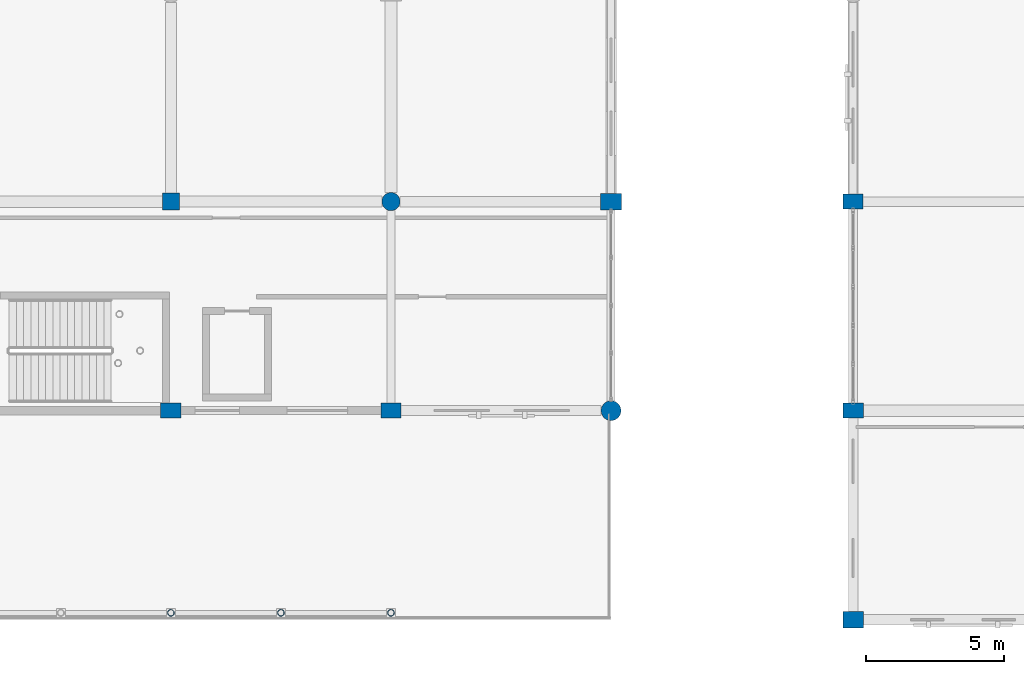
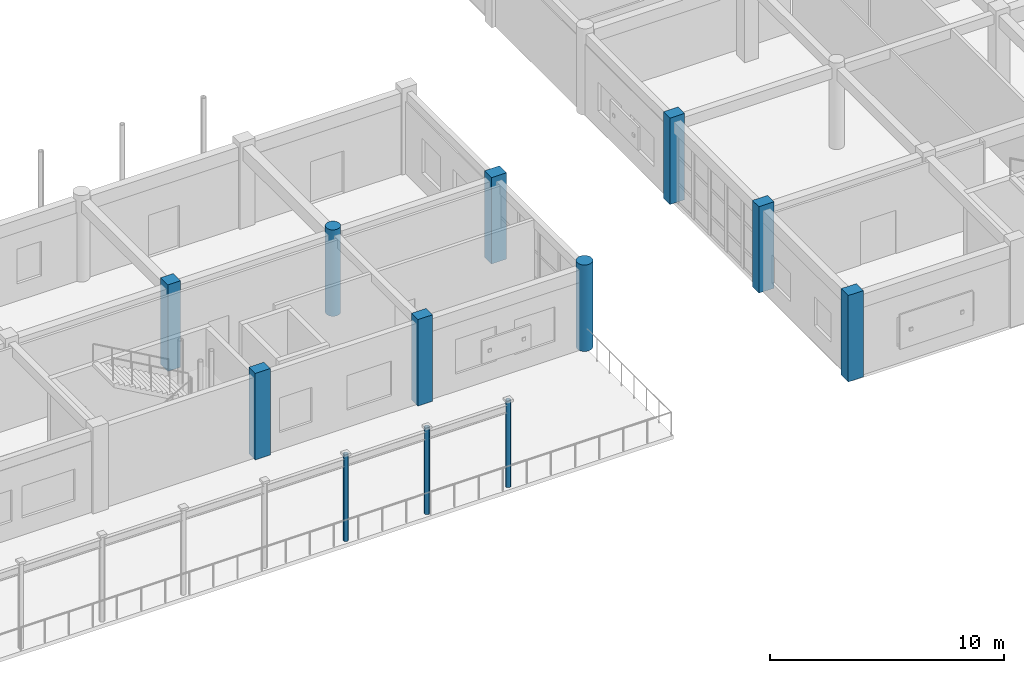
# One storey, part 11 of 160: 12 columns.
"""IFC4 building model written with IfcOpenShell, lengths in metres."""

from ifc_helpers import new_model, si_unit, direction, frame, origin, origin_2d, place, context, subcontext, project, spatial, rectangle, circle, hollow_circle, extrude, material, material_profile, profile_set, type_object, element, save


model = new_model("IFC4")

# Units and contexts
model_context = context("Model", 3, precision=1e-05, world=origin(), true_north=direction((0.0, 1.0)))
body_context = subcontext(model_context, "Body", "Model", "MODEL_VIEW")
ifc_project = project(units=[si_unit("LENGTHUNIT", "METRE"), si_unit("AREAUNIT", "SQUARE_METRE"), si_unit("VOLUMEUNIT", "CUBIC_METRE"), si_unit("PLANEANGLEUNIT", "RADIAN"), si_unit("MASSUNIT", "GRAM", prefix="KILO")], contexts=[model_context])

# Site, building, storey
site_placement = place(None, origin())
site = spatial("IfcSite", under=ifc_project, at=site_placement, CompositionType="ELEMENT")
building_placement = place(site_placement, origin())
building = spatial("IfcBuilding", under=site, at=building_placement, Name="Kharva Crest Polytechnic", CompositionType="ELEMENT")
storey_placement = place(building_placement, frame((0.0, 0.0, 4.5)))
storey = spatial("IfcBuildingStorey", under=building, at=storey_placement, Name="L01", CompositionType="ELEMENT", Elevation=4.5)

# Columns
ifc_material_1 = material(Name="Concrete C40/50", Category="concrete")
ifc_material_profile_1 = material_profile(ifc_material_1, rectangle(XDim=0.719970703125, YDim=0.550048828125, at=origin_2d()), Name="RECT 720 X 550")
ifc_profile_set_1 = profile_set([ifc_material_profile_1], Name="Concrete C40/50")
column_type_1 = type_object("IfcColumnType", Name="COL-EXT-720X550", PredefinedType="COLUMN", material=ifc_profile_set_1)
for number, where, z_axis, x_axis, name in (
    (1, (104.0, 7.60009765625, 0.0), (0.0, 0.0, 1.0), (1.0, 0.0, 0.0), "L01 Column 14/B"),
    (2, (120.800048828125, 15.199951171875, 0.0), (0.0, 0.0, 1.0), (1.0, 0.0, 0.0), "L01 Column 16J/C"),
):
    element("IfcColumn", number, at=place(storey_placement, frame(where, z_axis=z_axis, x_axis=x_axis)), inside=storey, type_object=column_type_1, Name=name, PredefinedType="COLUMN", context=body_context, shape_type="SweptSolid", body=[
        extrude(rectangle(XDim=0.719970703125, YDim=0.550048828125, at=origin_2d()), origin(), (0.0, 0.0, 1.0), 4.5),
    ])
ifc_material_profile_2 = material_profile(ifc_material_1, rectangle(XDim=0.75, YDim=0.550048828125, at=origin_2d()), Name="RECT 750 X 550")
ifc_profile_set_2 = profile_set([ifc_material_profile_2], Name="Concrete C40/50")
column_type_2 = type_object("IfcColumnType", Name="COL-EXT-750X550", PredefinedType="COLUMN", material=ifc_profile_set_2)
for number, where, z_axis, x_axis, name in (
    (3, (96.0, 7.60009765625, 0.0), (0.0, 0.0, 1.0), (1.0, 0.0, 0.0), "L01 Column 13/B"),
    (4, (120.800048828125, 7.60009765625, 0.0), (0.0, 0.0, 1.0), (1.0, 0.0, 0.0), "L01 Column 16J/B"),
):
    element("IfcColumn", number, at=place(storey_placement, frame(where, z_axis=z_axis, x_axis=x_axis)), inside=storey, type_object=column_type_2, Name=name, PredefinedType="COLUMN", context=body_context, shape_type="SweptSolid", body=[
        extrude(rectangle(XDim=0.75, YDim=0.550048828125, at=origin_2d()), origin(), (0.0, 0.0, 1.0), 4.5),
    ])
ifc_material_profile_3 = material_profile(ifc_material_1, rectangle(XDim=0.75, YDim=0.60009765625, at=origin_2d()), Name="RECT 750 X 600")
ifc_profile_set_3 = profile_set([ifc_material_profile_3], Name="Concrete C40/50")
column_type_3 = type_object("IfcColumnType", Name="COL-EXT-750X600", PredefinedType="COLUMN", material=ifc_profile_set_3)
for number, where, z_axis, x_axis, name in (
    (5, (112.0, 15.199951171875, 0.0), (0.0, 0.0, 1.0), (1.0, 0.0, 0.0), "L01 Column 15/C"),
    (6, (120.800048828125, 0.0, 0.0), (0.0, 0.0, 1.0), (1.0, 0.0, 0.0), "L01 Column 16J/A"),
):
    element("IfcColumn", number, at=place(storey_placement, frame(where, z_axis=z_axis, x_axis=x_axis)), inside=storey, type_object=column_type_3, Name=name, PredefinedType="COLUMN", context=body_context, shape_type="SweptSolid", body=[
        extrude(rectangle(XDim=0.75, YDim=0.60009765625, at=origin_2d()), origin(), (0.0, 0.0, 1.0), 4.5),
    ])
ifc_material_profile_4 = material_profile(ifc_material_1, circle(Radius=0.360107421875, at=origin_2d()), Name="DIA 720")
ifc_profile_set_4 = profile_set([ifc_material_profile_4], Name="Concrete C40/50")
column_type_4 = type_object("IfcColumnType", Name="COL-EXT-DIA720", PredefinedType="COLUMN", material=ifc_profile_set_4)
column_1_placement = place(storey_placement, frame((112.0, 7.60009765625, 0.0), z_axis=(0.0, 0.0, 1.0), x_axis=(1.0, 0.0, 0.0)))
element("IfcColumn", 7, at=column_1_placement, inside=storey, type_object=column_type_4, Name="L01 Column 15/B", PredefinedType="COLUMN", context=body_context, shape_type="SweptSolid", body=[
    extrude(circle(Radius=0.360107421875, at=origin_2d()), origin(), (0.0, 0.0, 1.0), 4.5),
])
ifc_material_profile_5 = material_profile(ifc_material_1, rectangle(XDim=0.6201171875, YDim=0.6201171875, at=origin_2d()), Name="RECT 620 X 620")
ifc_profile_set_5 = profile_set([ifc_material_profile_5], Name="Concrete C40/50")
column_type_5 = type_object("IfcColumnType", Name="COL-INT-620X620", PredefinedType="COLUMN", material=ifc_profile_set_5)
column_2_placement = place(storey_placement, frame((96.0, 15.199951171875, 0.0), z_axis=(0.0, 0.0, 1.0), x_axis=(1.0, 0.0, 0.0)))
element("IfcColumn", 8, at=column_2_placement, inside=storey, type_object=column_type_5, Name="L01 Column 13/C", PredefinedType="COLUMN", context=body_context, shape_type="SweptSolid", body=[
    extrude(rectangle(XDim=0.6201171875, YDim=0.6201171875, at=origin_2d()), origin(), (0.0, 0.0, 1.0), 4.5),
])
ifc_material_profile_6 = material_profile(ifc_material_1, circle(Radius=0.330078125, at=origin_2d()), Name="DIA 660")
ifc_profile_set_6 = profile_set([ifc_material_profile_6], Name="Concrete C40/50")
column_type_6 = type_object("IfcColumnType", Name="COL-INT-DIA660", PredefinedType="COLUMN", material=ifc_profile_set_6)
column_3_placement = place(storey_placement, frame((104.0, 15.199951171875, 0.0), z_axis=(0.0, 0.0, 1.0), x_axis=(1.0, 0.0, 0.0)))
element("IfcColumn", 9, at=column_3_placement, inside=storey, type_object=column_type_6, Name="L01 Column 14/C", PredefinedType="COLUMN", context=body_context, shape_type="SweptSolid", body=[
    extrude(circle(Radius=0.330078125, at=origin_2d()), origin(), (0.0, 0.0, 1.0), 4.5),
])
ifc_material_2 = material(Name="Steel S355", Category="steel")
ifc_material_profile_7 = material_profile(ifc_material_2, hollow_circle(Radius=0.122314453125, WallThickness=0.010009765625, at=origin_2d()), Name="CHS 244.5X10.0")
ifc_profile_set_7 = profile_set([ifc_material_profile_7], Name="Steel S355")
column_type_7 = type_object("IfcColumnType", Name="COL-STL-CHS244", PredefinedType="COLUMN", material=ifc_profile_set_7)
for number, where, z_axis, x_axis, name in (
    (10, (96.0, 0.25, 0.0), (0.0, 0.0, 1.0), (1.0, 0.0, 0.0), "L01 Colonnade Column AS05"),
    (11, (104.0, 0.25, 0.0), (0.0, 0.0, 1.0), (1.0, 0.0, 0.0), "L01 Colonnade Column AS06"),
    (12, (100.0, 0.25, 0.0), (0.0, 0.0, 1.0), (1.0, 0.0, 0.0), "L01 Colonnade Mid Column ASM05"),
):
    element("IfcColumn", number, at=place(storey_placement, frame(where, z_axis=z_axis, x_axis=x_axis)), inside=storey, type_object=column_type_7, Name=name, PredefinedType="COLUMN", context=body_context, shape_type="SweptSolid", body=[
        extrude(hollow_circle(Radius=0.122314453125, WallThickness=0.010009765625, at=origin_2d()), origin(), (0.0, 0.0, 1.0), 4.5),
    ])

save(model, "model.ifc")
